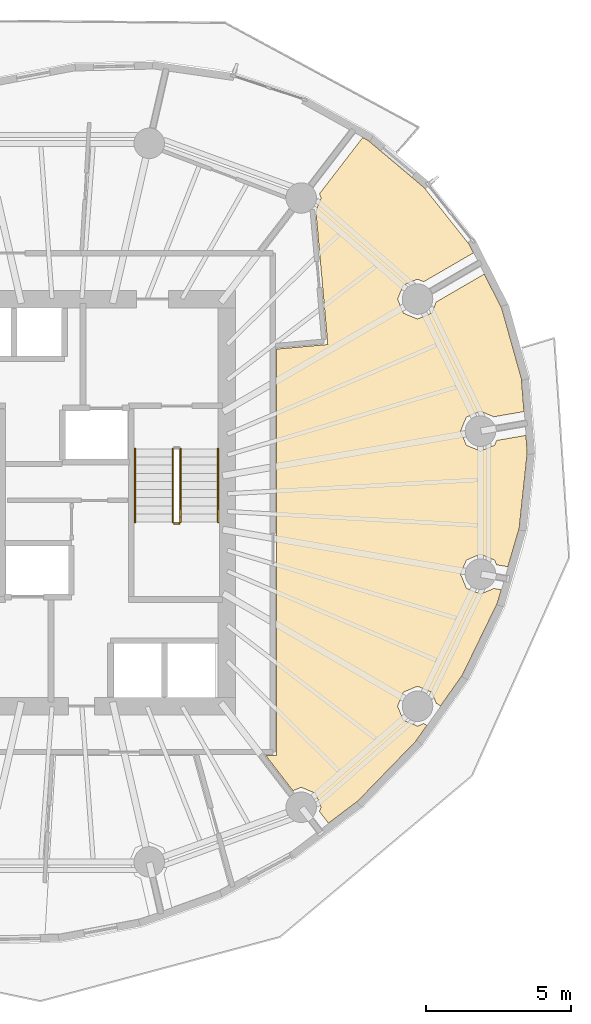
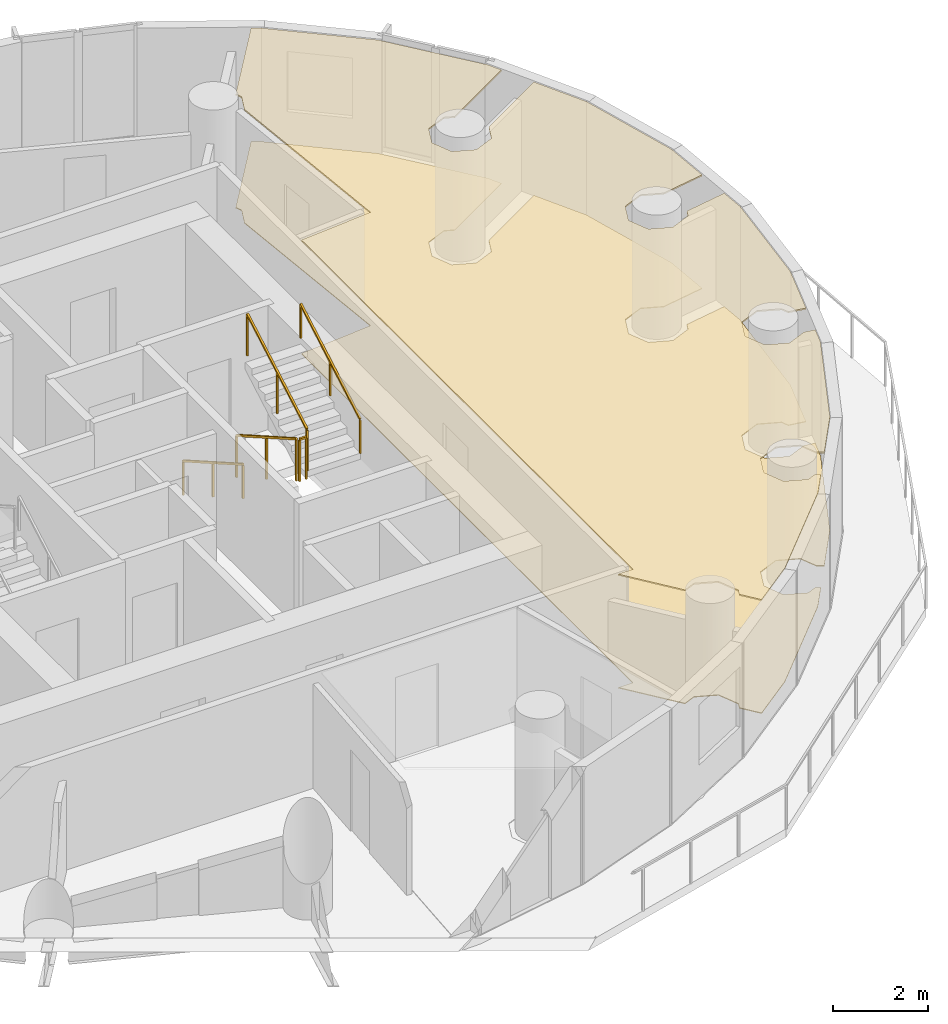
# One storey, part 10 of 12: 5 railings, 2 coverings.
"""IFC4 building model written with IfcOpenShell, lengths in metres."""

from ifc_helpers import new_model, si_unit, direction, frame, origin, origin_2d, place, context, subcontext, project, spatial, polyline, rectangle, outline, extrude, material, layer, layer_set, type_object, element, save


model = new_model("IFC4")

# Units and contexts
model_context = context("Model", 3, precision=1e-05, world=origin(), true_north=direction((0.0, 1.0)))
body_context = subcontext(model_context, "Body", "Model", "MODEL_VIEW")
ifc_project = project(units=[si_unit("LENGTHUNIT", "METRE"), si_unit("AREAUNIT", "SQUARE_METRE"), si_unit("VOLUMEUNIT", "CUBIC_METRE"), si_unit("PLANEANGLEUNIT", "RADIAN"), si_unit("MASSUNIT", "GRAM", prefix="KILO")], contexts=[model_context])

# Site, building, storey
site_placement = place(None, origin())
site = spatial("IfcSite", under=ifc_project, at=site_placement, CompositionType="ELEMENT")
building_placement = place(site_placement, origin())
building = spatial("IfcBuilding", under=site, at=building_placement, Name="Veldorim Arch Residences", CompositionType="ELEMENT")
storey_placement = place(building_placement, frame((0.0, 0.0, 136.159912109375)))
storey = spatial("IfcBuildingStorey", under=building, at=storey_placement, Name="L40", CompositionType="ELEMENT", Elevation=136.159912109375)

# Railings
ifc_material_1 = material(Name="Steel S355", Category="steel")
railing_type_1 = type_object("IfcRailingType", Name="Galvanised Steel Stair Safety Guardrail 1100", PredefinedType="GUARDRAIL", material=ifc_material_1)
railing_1_placement = place(storey_placement, frame((35.639892578125, 25.85009765625, 0.16015625)))
element("IfcRailing", 1, at=railing_1_placement, inside=storey, type_object=railing_type_1, Name="L40 ST-2 stair guard 1", PredefinedType="GUARDRAIL", context=body_context, shape_type="SweptSolid", body=[
    extrude(rectangle(XDim=0.048095703125, YDim=0.048095703125, at=origin_2d()), frame((0.0, 0.0, 1.076171875), z_axis=(0.0, -0.868253494771, 0.496120820787), x_axis=(1.0, 0.0, 0.0)), (0.0, 0.0, 1.0), 2.90234375),
    extrude(rectangle(XDim=0.0419921875, YDim=0.0419921875, at=origin_2d()), origin(), (0.0, 0.0, 1.0), 1.052001953125),
    extrude(rectangle(XDim=0.0419921875, YDim=0.0419921875, at=origin_2d()), frame((0.0, -1.260009765625, 0.719970703125)), (0.0, 0.0, 1.0), 1.052001953125),
    extrude(rectangle(XDim=0.0419921875, YDim=0.0419921875, at=origin_2d()), frame((0.0, -2.52001953125, 1.43994140625)), (0.0, 0.0, 1.0), 1.052001953125),
])
railing_2_placement = place(storey_placement, frame((35.68994140625, 23.280029296875, 1.60009765625)))
element("IfcRailing", 2, at=railing_2_placement, inside=storey, type_object=railing_type_1, Name="L40 ST-2 stair guard 2", PredefinedType="GUARDRAIL", context=body_context, shape_type="SweptSolid", body=[
    extrude(rectangle(XDim=0.048095703125, YDim=0.048095703125, at=origin_2d()), frame((0.0, 0.0, 1.076171875), z_axis=(1.0, 0.0, 0.0), x_axis=(0.0, 1.0, 0.0)), (0.0, 0.0, 1.0), 0.16015625),
    extrude(rectangle(XDim=0.0419921875, YDim=0.0419921875, at=origin_2d()), origin(), (0.0, 0.0, 1.0), 1.052001953125),
    extrude(rectangle(XDim=0.0419921875, YDim=0.0419921875, at=origin_2d()), frame((0.16015625, 0.0, 0.0)), (0.0, 0.0, 1.0), 1.052001953125),
])
railing_3_placement = place(storey_placement, frame((35.89990234375, 23.330078125, 1.760009765625)))
element("IfcRailing", 3, at=railing_3_placement, inside=storey, type_object=railing_type_1, Name="L40 ST-2 stair guard 3", PredefinedType="GUARDRAIL", context=body_context, shape_type="SweptSolid", body=[
    extrude(rectangle(XDim=0.048095703125, YDim=0.048095703125, at=origin_2d()), frame((0.0, 0.0, 1.076171875), z_axis=(0.0, 0.868217259934, 0.496184229447), x_axis=(-1.0, 0.0, 0.0)), (0.0, 0.0, 1.0), 2.902587890625),
    extrude(rectangle(XDim=0.0419921875, YDim=0.0419921875, at=origin_2d()), origin(), (0.0, 0.0, 1.0), 1.052001953125),
    extrude(rectangle(XDim=0.0419921875, YDim=0.0419921875, at=origin_2d()), frame((0.0, 1.260009765625, 0.72021484375)), (0.0, 0.0, 1.0), 1.052001953125),
    extrude(rectangle(XDim=0.0419921875, YDim=0.0419921875, at=origin_2d()), frame((0.0, 2.52001953125, 1.440185546875)), (0.0, 0.0, 1.0), 1.052001953125),
])

# Coverings
ifc_material_2 = material(Name="Acoustic Gypsum & Mineral Fibre", Category="gypsum")
ifc_layer_1 = layer(ifc_material_2, 0.034912109375, Name="Perforated Acoustic Mineral-Fibre Ceiling 35")
ifc_layer_set_1 = layer_set([ifc_layer_1], Name="Acoustic Gypsum & Mineral Fibre")
covering_type_1 = type_object("IfcCoveringType", Name="Perforated Acoustic Mineral-Fibre Ceiling 35", PredefinedType="CEILING", material=ifc_layer_set_1)
covering_1_placement = place(storey_placement, frame((0.0, 0.0, 2.905029296875)))
element("IfcCovering", 4, at=covering_1_placement, inside=storey, type_object=covering_type_1, Name="L40 acoustic suspended ceiling 02", PredefinedType="CEILING", context=body_context, shape_type="SweptSolid", body=[
    extrude(outline(polyline([(40.74072265625, 34.4765625), (40.681396484375, 34.61962890625), (42.172119140625, 36.55810546875), (42.361328125, 36.452880859375), (44.27880859375, 34.837646484375), (45.823974609375, 32.895263671875), (45.979736328125, 32.589599609375), (44.26953125, 31.5966796875), (44.056396484375, 31.68505859375), (43.572021484375, 31.484619140625), (43.371337890625, 31.000244140625), (43.572021484375, 30.515869140625), (44.056396484375, 30.315185546875), (44.54052734375, 30.515869140625), (44.7001953125, 30.901611328125), (46.351806640625, 31.8603515625), (46.951416015625, 30.68408203125), (47.626953125, 28.269775390625), (47.717529296875, 27.131591796875), (46.681396484375, 26.952392578125), (46.221435546875, 27.14306640625), (45.737060546875, 26.9423828125), (45.53662109375, 26.4580078125), (45.737060546875, 25.973876953125), (46.221435546875, 25.773193359375), (46.705810546875, 25.973876953125), (46.77392578125, 26.138916015625), (47.78271484375, 26.313232421875), (47.82958984375, 25.724365234375), (47.552490234375, 23.124267578125), (47.1650390625, 21.793701171875), (46.77392578125, 21.861083984375), (46.705810546875, 22.026123046875), (46.221435546875, 22.226806640625), (45.737060546875, 22.026123046875), (45.53662109375, 21.5419921875), (45.737060546875, 21.0576171875), (46.221435546875, 20.85693359375), (46.681396484375, 21.047607421875), (46.93505859375, 21.003662109375), (46.802490234375, 20.548583984375), (45.6015625, 18.076171875), (44.85107421875, 17.010986328125), (44.7001953125, 17.098388671875), (44.54052734375, 17.484130859375), (44.056396484375, 17.684814453125), (43.572021484375, 17.484130859375), (43.371337890625, 16.999755859375), (43.572021484375, 16.515380859375), (44.056396484375, 16.31494140625), (44.26953125, 16.4033203125), (44.37841796875, 16.340087890625), (43.985595703125, 15.782958984375), (42.003662109375, 13.739501953125), (40.9931640625, 12.97509765625), (40.681396484375, 13.38037109375), (40.74072265625, 13.5234375), (40.5400390625, 14.0078125), (40.055908203125, 14.20849609375), (39.771240234375, 14.090576171875), (38.84130859375, 15.300048828125), (39.199951171875, 15.300048828125), (39.199951171875, 29.279296875), (40.97119140625, 29.437255859375), (40.560791015625, 34.042236328125), (40.74072265625, 34.4765625)])), origin(), (0.0, 0.0, 1.0), 0.03515625),
])
ifc_material_3 = material(Name="Porcelain Ceramic Tile", Category="ceramic")
ifc_layer_2 = layer(ifc_material_3, 0.02001953125, Name="Slip-Resistant Porcelain & Vinyl Floor Finish 20")
ifc_layer_set_2 = layer_set([ifc_layer_2], Name="Porcelain Ceramic Tile")
covering_type_2 = type_object("IfcCoveringType", Name="Slip-Resistant Porcelain & Vinyl Floor Finish 20", PredefinedType="FLOORING", material=ifc_layer_set_2)
covering_2_placement = place(storey_placement, origin())
element("IfcCovering", 5, at=covering_2_placement, inside=storey, type_object=covering_type_2, Name="L40 porcelain floor finish 02", PredefinedType="FLOORING", context=body_context, shape_type="SweptSolid", body=[
    extrude(outline(polyline([(40.74072265625, 34.4765625), (40.681396484375, 34.61962890625), (42.172119140625, 36.55810546875), (42.361328125, 36.452880859375), (44.27880859375, 34.837646484375), (45.823974609375, 32.895263671875), (45.979736328125, 32.589599609375), (44.26953125, 31.5966796875), (44.056396484375, 31.68505859375), (43.572021484375, 31.484619140625), (43.371337890625, 31.000244140625), (43.572021484375, 30.515869140625), (44.056396484375, 30.315185546875), (44.54052734375, 30.515869140625), (44.7001953125, 30.901611328125), (46.351806640625, 31.8603515625), (46.951416015625, 30.68408203125), (47.626953125, 28.269775390625), (47.717529296875, 27.131591796875), (46.681396484375, 26.952392578125), (46.221435546875, 27.14306640625), (45.737060546875, 26.9423828125), (45.53662109375, 26.4580078125), (45.737060546875, 25.973876953125), (46.221435546875, 25.773193359375), (46.705810546875, 25.973876953125), (46.77392578125, 26.138916015625), (47.78271484375, 26.313232421875), (47.82958984375, 25.724365234375), (47.552490234375, 23.124267578125), (47.1650390625, 21.793701171875), (46.77392578125, 21.861083984375), (46.705810546875, 22.026123046875), (46.221435546875, 22.226806640625), (45.737060546875, 22.026123046875), (45.53662109375, 21.5419921875), (45.737060546875, 21.0576171875), (46.221435546875, 20.85693359375), (46.681396484375, 21.047607421875), (46.93505859375, 21.003662109375), (46.802490234375, 20.548583984375), (45.6015625, 18.076171875), (44.85107421875, 17.010986328125), (44.7001953125, 17.098388671875), (44.54052734375, 17.484130859375), (44.056396484375, 17.684814453125), (43.572021484375, 17.484130859375), (43.371337890625, 16.999755859375), (43.572021484375, 16.515380859375), (44.056396484375, 16.31494140625), (44.26953125, 16.4033203125), (44.37841796875, 16.340087890625), (43.985595703125, 15.782958984375), (42.003662109375, 13.739501953125), (40.9931640625, 12.97509765625), (40.681396484375, 13.38037109375), (40.74072265625, 13.5234375), (40.5400390625, 14.0078125), (40.055908203125, 14.20849609375), (39.771240234375, 14.090576171875), (38.84130859375, 15.300048828125), (39.199951171875, 15.300048828125), (39.199951171875, 29.279296875), (40.97119140625, 29.437255859375), (40.560791015625, 34.042236328125), (40.74072265625, 34.4765625)])), origin(), (0.0, 0.0, 1.0), 0.02001953125),
])

# Railings
ifc_material_4 = material(Name="Stainless Steel", Category="steel")
railing_type_2 = type_object("IfcRailingType", Name="Tubular Steel Continuous Wall Handrail 900", PredefinedType="HANDRAIL", material=ifc_material_4)
railing_4_placement = place(storey_placement, frame((34.340087890625, 25.85009765625, 0.16015625)))
element("IfcRailing", 6, at=railing_4_placement, inside=storey, type_object=railing_type_2, Name="L40 ST-2 stair handrail 1", PredefinedType="HANDRAIL", context=body_context, shape_type="SweptSolid", body=[
    extrude(rectangle(XDim=0.048095703125, YDim=0.048095703125, at=origin_2d()), frame((0.0, 0.0, 0.8759765625), z_axis=(0.0, -0.868253494771, 0.496120820787), x_axis=(1.0, 0.0, 0.0)), (0.0, 0.0, 1.0), 2.90234375),
    extrude(rectangle(XDim=0.0419921875, YDim=0.0419921875, at=origin_2d()), origin(), (0.0, 0.0, 1.0), 0.851806640625),
    extrude(rectangle(XDim=0.0419921875, YDim=0.0419921875, at=origin_2d()), frame((0.0, -1.260009765625, 0.719970703125)), (0.0, 0.0, 1.0), 0.851806640625),
    extrude(rectangle(XDim=0.0419921875, YDim=0.0419921875, at=origin_2d()), frame((0.0, -2.52001953125, 1.43994140625)), (0.0, 0.0, 1.0), 0.851806640625),
])
railing_5_placement = place(storey_placement, frame((37.199951171875, 23.330078125, 1.760009765625)))
element("IfcRailing", 7, at=railing_5_placement, inside=storey, type_object=railing_type_2, Name="L40 ST-2 stair handrail 2", PredefinedType="HANDRAIL", context=body_context, shape_type="SweptSolid", body=[
    extrude(rectangle(XDim=0.048095703125, YDim=0.048095703125, at=origin_2d()), frame((0.0, 0.0, 0.8759765625), z_axis=(0.0, 0.868217259934, 0.496184229447), x_axis=(-1.0, 0.0, 0.0)), (0.0, 0.0, 1.0), 2.902587890625),
    extrude(rectangle(XDim=0.0419921875, YDim=0.0419921875, at=origin_2d()), origin(), (0.0, 0.0, 1.0), 0.851806640625),
    extrude(rectangle(XDim=0.0419921875, YDim=0.0419921875, at=origin_2d()), frame((0.0, 1.260009765625, 0.72021484375)), (0.0, 0.0, 1.0), 0.851806640625),
    extrude(rectangle(XDim=0.0419921875, YDim=0.0419921875, at=origin_2d()), frame((0.0, 2.52001953125, 1.440185546875)), (0.0, 0.0, 1.0), 0.851806640625),
])

save(model, "model.ifc")
